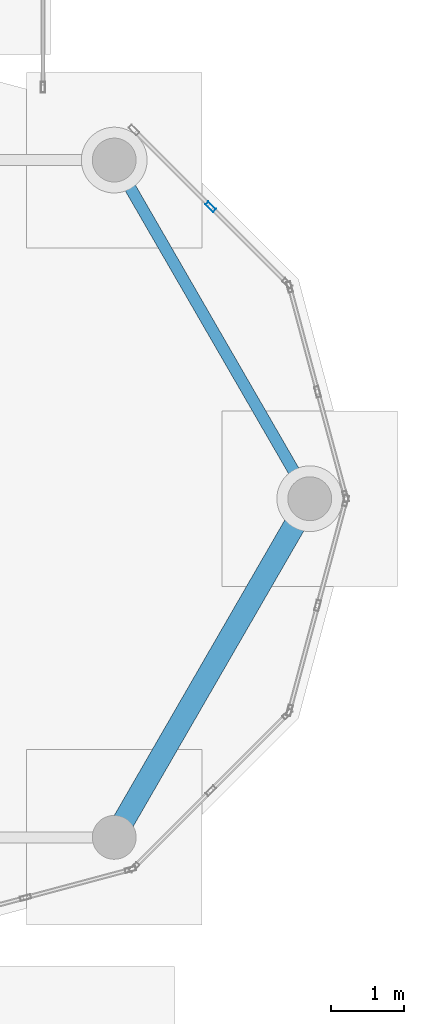
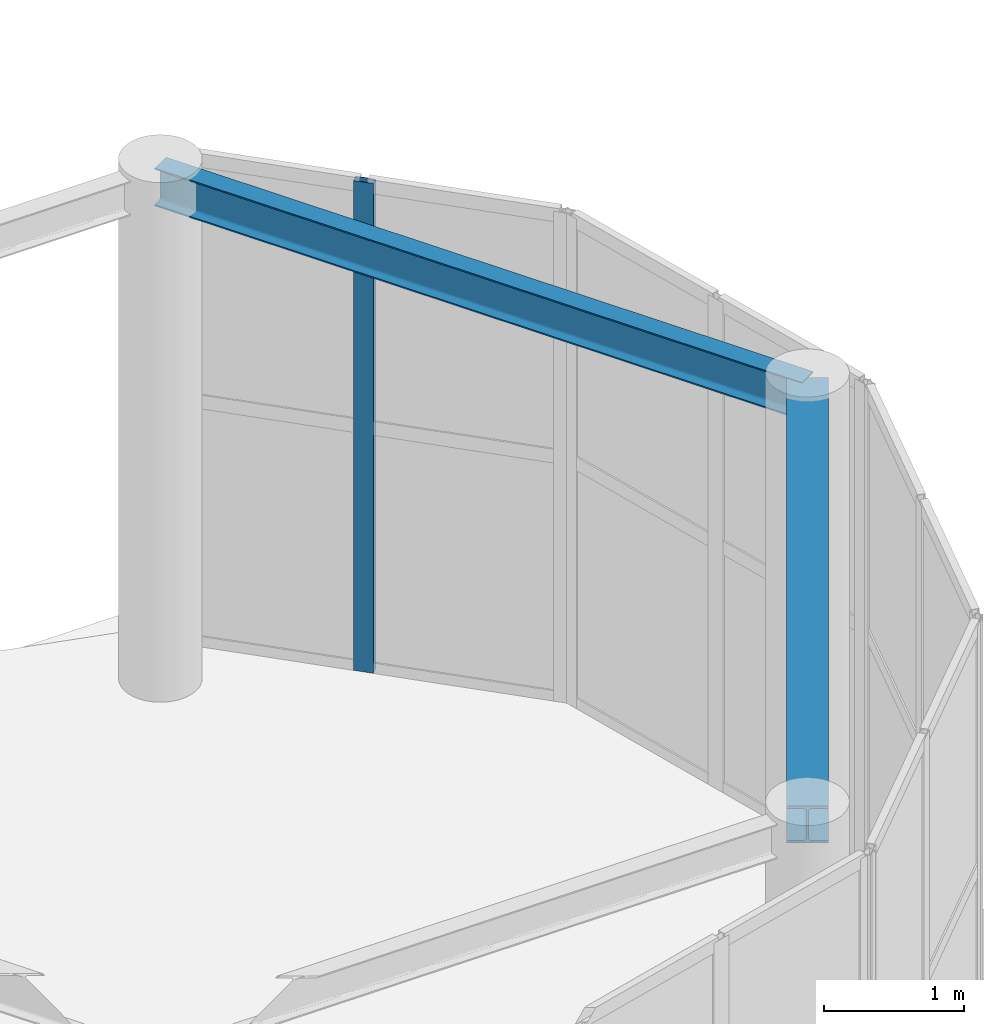
# One storey, part 53 of 139: 2 beams, 1 member, 1 element without a shape of its own.
"""IFC4 building model written with IfcOpenShell, lengths in metres."""

from ifc_helpers import new_model, si_unit, direction, frame, origin, origin_2d, place, context, subcontext, project, spatial, hollow_rectangle, i_section, extrude, material, layer, layer_set, material_profile, profile_set, type_object, element, aggregate, save


model = new_model("IFC4")

# Units and contexts
model_context = context("Model", 3, precision=1e-05, world=origin(), true_north=direction((0.0, 1.0)))
body_context = subcontext(model_context, "Body", "Model", "MODEL_VIEW")
ifc_project = project(units=[si_unit("LENGTHUNIT", "METRE"), si_unit("AREAUNIT", "SQUARE_METRE"), si_unit("VOLUMEUNIT", "CUBIC_METRE"), si_unit("PLANEANGLEUNIT", "RADIAN"), si_unit("MASSUNIT", "GRAM", prefix="KILO")], contexts=[model_context])

# Site, building, storey
site_placement = place(None, origin())
site = spatial("IfcSite", under=ifc_project, at=site_placement, CompositionType="ELEMENT")
building_placement = place(site_placement, origin())
building = spatial("IfcBuilding", under=site, at=building_placement, Name="Zizhar Promenade General Hospital", CompositionType="ELEMENT")
storey_placement = place(building_placement, origin())
storey = spatial("IfcBuildingStorey", under=building, at=storey_placement, Name="L00", CompositionType="ELEMENT", Elevation=0.0)

# Beams
ifc_material_1 = material(Name="Steel S355", Category="steel")
ifc_material_profile_1 = material_profile(ifc_material_1, i_section(OverallWidth=0.300048828125, OverallDepth=0.320068359375, WebThickness=0.011474609375, FlangeThickness=0.0205078125, FilletRadius=0.027099609375, at=origin_2d()))
ifc_profile_set_1 = profile_set([ifc_material_profile_1], Name="Steel S355")
beam_type_1 = type_object("IfcBeamType", Name="BM-STL-HEB320", PredefinedType="BEAM", material=ifc_profile_set_1)
beam_1_placement = place(storey_placement, frame((185.675048828125, 23.36669921875, 4.340087890625), z_axis=(0.500001594578, 0.866024483152, 0.0), x_axis=(-0.866024483152, 0.500001594578, 0.0)))
element("IfcBeam", 1, at=beam_1_placement, inside=storey, type_object=beam_type_1, Name="PAV-3 Roof Ring Beam 6", PredefinedType="BEAM", context=body_context, shape_type="SweptSolid", body=[
    extrude(i_section(OverallWidth=0.300048828125, OverallDepth=0.320068359375, WebThickness=0.011474609375, FlangeThickness=0.0205078125, FilletRadius=0.027099609375, at=origin_2d()), origin(), (0.0, 0.0, 1.0), 5.35009765625),
])
ifc_material_2 = material(Name="Steel S355", Category="steel")
ifc_material_profile_2 = material_profile(ifc_material_2, i_section(OverallWidth=0.159912109375, OverallDepth=0.330078125, WebThickness=0.007568359375, FlangeThickness=0.011474609375, FilletRadius=0.01806640625, at=origin_2d()))
ifc_profile_set_2 = profile_set([ifc_material_profile_2], Name="Steel S355")
beam_type_2 = type_object("IfcBeamType", Name="BM-STL-IPE330", PredefinedType="JOIST", material=ifc_profile_set_2)
beam_2_placement = place(storey_placement, frame((188.35009765625, 28.0, 4.340087890625), z_axis=(-0.500001594578, 0.866024483152, 0.0), x_axis=(-0.866024483152, -0.500001594578, 0.0)))
element("IfcBeam", 2, at=beam_2_placement, inside=storey, type_object=beam_type_2, Name="PAV-3 Roof Ring Beam 1", PredefinedType="JOIST", context=body_context, shape_type="SweptSolid", body=[
    extrude(i_section(OverallWidth=0.159912109375, OverallDepth=0.330078125, WebThickness=0.007568359375, FlangeThickness=0.011474609375, FilletRadius=0.01806640625, at=origin_2d()), origin(), (0.0, 0.0, 1.0), 5.35009765625),
])

# Curtain wall, member
ifc_material_3 = material(Name="Anodised aluminium 6063-T6 and low-E glass", Category="aluminium")
ifc_layer = layer(ifc_material_3, 0.159912109375)
ifc_layer_set = layer_set([ifc_layer], Name="Anodised aluminium 6063-T6 and low-E glass")
curtain_wall_type = type_object("IfcCurtainWallType", Name="CW-PAV-GLZ", PredefinedType="NOTDEFINED", material=ifc_layer_set)
curtain_wall_placement = place(storey_placement, origin())
curtain_wall = element("IfcCurtainWall", 3, at=curtain_wall_placement, inside=storey, type_object=curtain_wall_type, Name="Community Health Information Pavilion Curved Glazing 2", PredefinedType="NOTDEFINED")
ifc_material_4 = material(Name="Anodised aluminium 6063-T6", Category="aluminium")
ifc_material_profile_3 = material_profile(ifc_material_4, hollow_rectangle(XDim=0.06005859375, YDim=0.14990234375, WallThickness=0.00390625, at=origin_2d()))
ifc_profile_set_3 = profile_set([ifc_material_profile_3], Name="Anodised aluminium 6063-T6")
member_type = type_object("IfcMemberType", Name="CWM-ALU-150x60", PredefinedType="MULLION", material=ifc_profile_set_3)
member_placement = place(storey_placement, frame((186.99560546875, 31.99560546875, 0.0), z_axis=(0.0, 0.0, 1.0), x_axis=(0.707106781187, 0.707106781187, 0.0)))
member = element("IfcMember", 4, at=member_placement, type_object=member_type, Name="CW-14 mullion 2", PredefinedType="MULLION", context=body_context, shape_type="SweptSolid", body=[
    extrude(hollow_rectangle(XDim=0.06005859375, YDim=0.14990234375, WallThickness=0.00390625, at=origin_2d()), origin(), (0.0, 0.0, 1.0), 4.280029296875),
])
aggregate(curtain_wall, [member])

save(model, "model.ifc")
